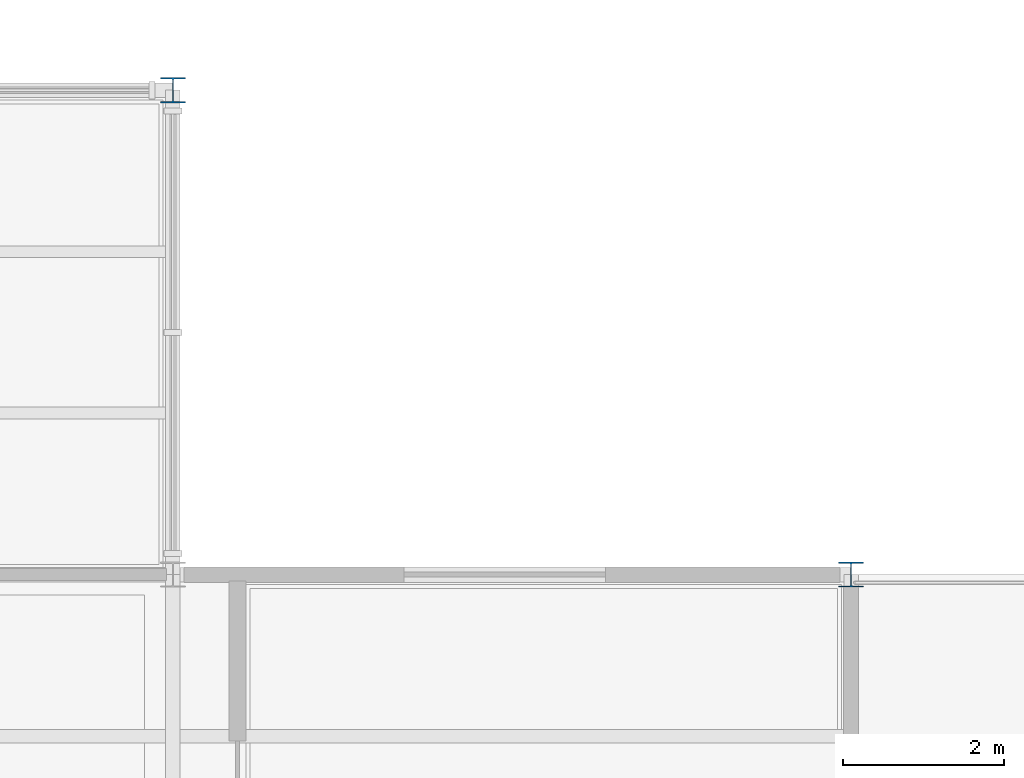
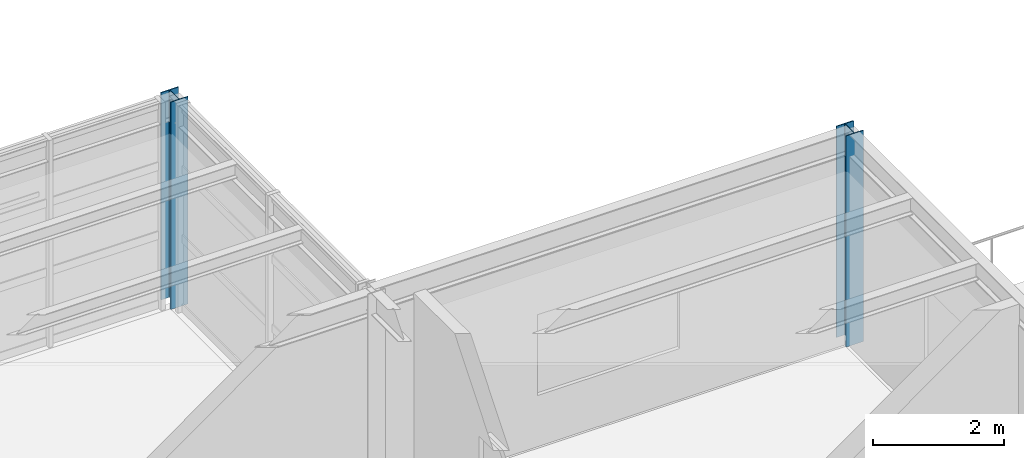
# One storey, part 13 of 49: 2 columns.
"""IFC4 building model written with IfcOpenShell, lengths in metres."""

from ifc_helpers import new_model, si_unit, direction, frame, origin, origin_2d, place, context, subcontext, project, spatial, i_section, extrude, material, material_profile, profile_set, type_object, element, save


model = new_model("IFC4")

# Units and contexts
model_context = context("Model", 3, precision=1e-05, world=origin(), true_north=direction((0.0, 1.0)))
body_context = subcontext(model_context, "Body", "Model", "MODEL_VIEW")
ifc_project = project(units=[si_unit("LENGTHUNIT", "METRE"), si_unit("AREAUNIT", "SQUARE_METRE"), si_unit("VOLUMEUNIT", "CUBIC_METRE"), si_unit("PLANEANGLEUNIT", "RADIAN"), si_unit("MASSUNIT", "GRAM", prefix="KILO")], contexts=[model_context])

# Site, building, storey
site_placement = place(None, origin())
site = spatial("IfcSite", under=ifc_project, at=site_placement, CompositionType="ELEMENT")
building_placement = place(site_placement, origin())
building = spatial("IfcBuilding", under=site, at=building_placement, Name="Sitalva Quay Ferry Terminal", CompositionType="ELEMENT")
storey_placement = place(building_placement, frame((0.0, 0.0, 10.199951171875)))
storey = spatial("IfcBuildingStorey", under=building, at=storey_placement, Name="L03", CompositionType="ELEMENT", Elevation=10.199951171875)

# Columns
ifc_material = material(Name="Structural Steel S355JR", Category="steel")
ifc_material_profile = material_profile(ifc_material, i_section(OverallWidth=0.305908203125, OverallDepth=0.31103515625, WebThickness=0.010986328125, FlangeThickness=0.01708984375, FilletRadius=0.014892578125, at=origin_2d()), Name="W310x107")
ifc_profile_set = profile_set([ifc_material_profile], Name="Structural Steel S355JR")
column_type = type_object("IfcColumnType", Name="Col_W310x107", PredefinedType="COLUMN", material=ifc_profile_set)
column_1_placement = place(storey_placement, frame((126.0, 106.0, 0.0), z_axis=(0.0, 0.0, 1.0), x_axis=(1.0, 0.0, 0.0)))
element("IfcColumn", 1, at=column_1_placement, inside=storey, type_object=column_type, Name="L03 column 16M", PredefinedType="COLUMN", context=body_context, shape_type="SweptSolid", body=[
    extrude(i_section(OverallWidth=0.305908203125, OverallDepth=0.31103515625, WebThickness=0.010986328125, FlangeThickness=0.01708984375, FilletRadius=0.014892578125, at=origin_2d()), origin(), (0.0, 0.0, 1.0), 3.920166015625),
])
column_2_placement = place(storey_placement, frame((117.60009765625, 112.0, 0.0), z_axis=(0.0, 0.0, 1.0), x_axis=(1.0, 0.0, 0.0)))
element("IfcColumn", 2, at=column_2_placement, inside=storey, type_object=column_type, Name="L03 column 15N", PredefinedType="COLUMN", context=body_context, shape_type="SweptSolid", body=[
    extrude(i_section(OverallWidth=0.305908203125, OverallDepth=0.31103515625, WebThickness=0.010986328125, FlangeThickness=0.01708984375, FilletRadius=0.014892578125, at=origin_2d()), origin(), (0.0, 0.0, 1.0), 3.85009765625),
])

save(model, "model.ifc")
